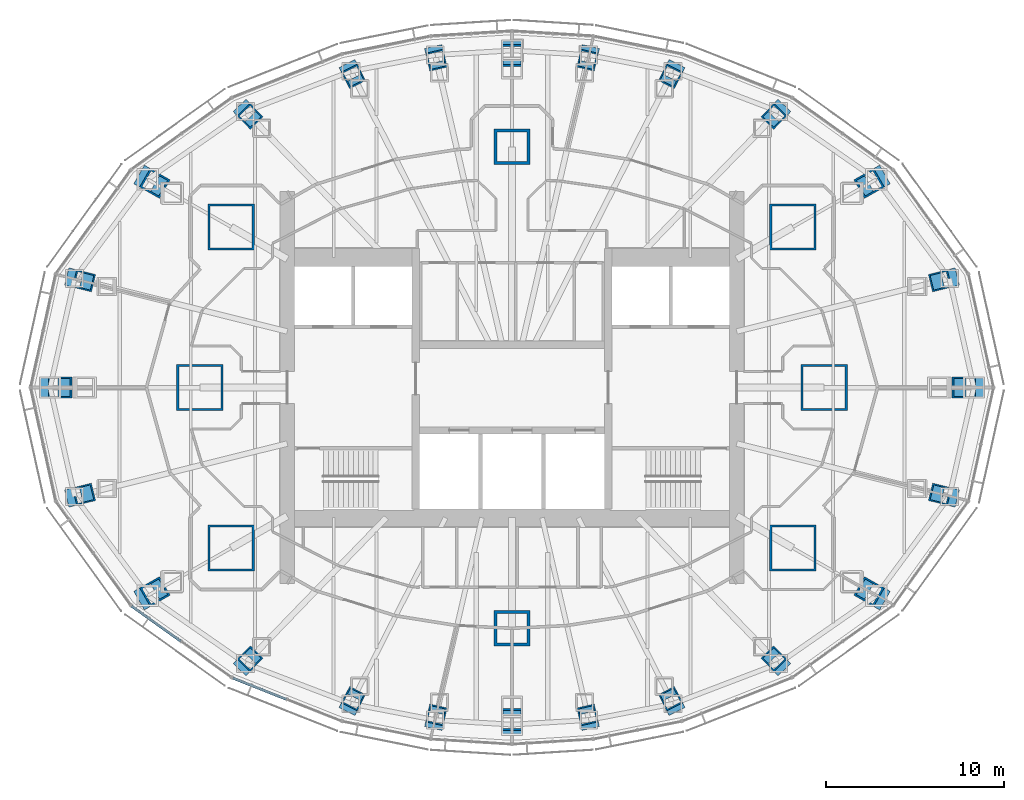
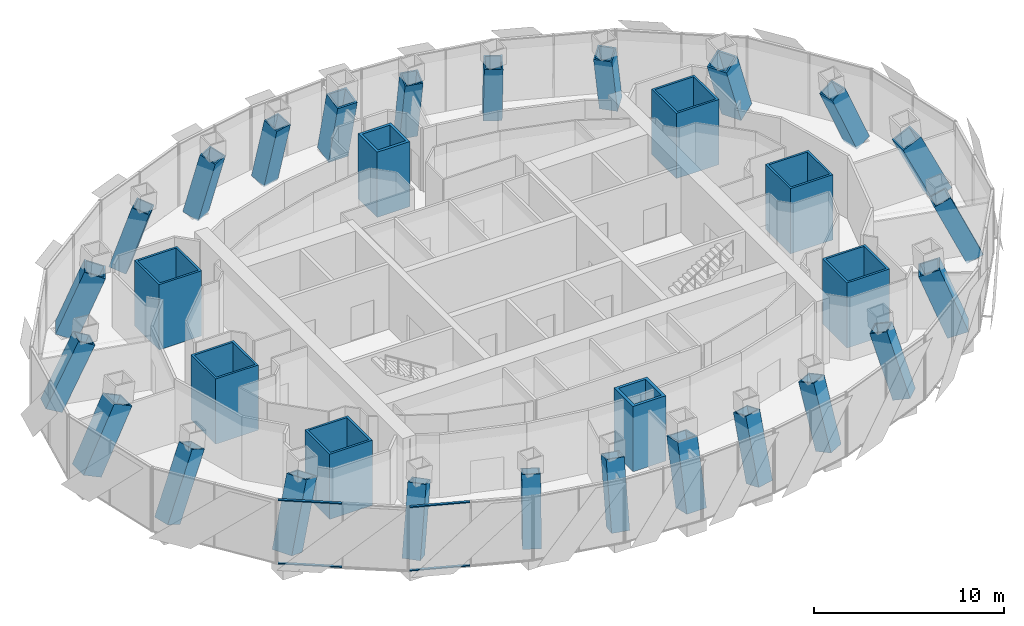
# One storey, part 1 of 18: 32 columns, 4 members, 2 elements without a shape of their own.
"""IFC4 building model written with IfcOpenShell, lengths in metres."""

from ifc_helpers import new_model, si_unit, direction, frame, origin, origin_2d, place, context, subcontext, project, spatial, rectangle, hollow_rectangle, extrude, material, material_profile, profile_set, type_object, element, aggregate, save


model = new_model("IFC4")

# Units and contexts
model_context = context("Model", 3, precision=1e-05, world=origin(), true_north=direction((0.0, 1.0)))
body_context = subcontext(model_context, "Body", "Model", "MODEL_VIEW")
ifc_project = project(units=[si_unit("LENGTHUNIT", "METRE"), si_unit("AREAUNIT", "SQUARE_METRE"), si_unit("VOLUMEUNIT", "CUBIC_METRE"), si_unit("PLANEANGLEUNIT", "RADIAN"), si_unit("MASSUNIT", "GRAM", prefix="KILO")], contexts=[model_context])

# Site, building, storey
site_placement = place(None, origin())
site = spatial("IfcSite", under=ifc_project, at=site_placement, CompositionType="ELEMENT")
building_placement = place(site_placement, origin())
building = spatial("IfcBuilding", under=site, at=building_placement, Name="Lantaw Convention Tower", CompositionType="ELEMENT")
storey_placement = place(building_placement, frame((0.0, 0.0, 266.199951171875)))
storey = spatial("IfcBuildingStorey", under=building, at=storey_placement, Name="L62", CompositionType="ELEMENT", Elevation=266.199951171875)

# Columns
ifc_material_1 = material(Name="Steel EN 10025-3 S460N", Category="steel")
ifc_material_profile_1 = material_profile(ifc_material_1, hollow_rectangle(XDim=2.0, YDim=2.0, WallThickness=0.169921875, at=origin_2d()), Name="BOX2000X170")
ifc_material_2 = material(Name="Concrete C60/75", Category="concrete")
ifc_material_profile_2 = material_profile(ifc_material_2, rectangle(XDim=1.659912109375, YDim=1.659912109375, at=origin_2d()), Name="Concrete fill of BOX2000X170")
ifc_profile_set_1 = profile_set([ifc_material_profile_1, ifc_material_profile_2], Name="Steel EN 10025-3 S460N")
column_type_1 = type_object("IfcColumnType", Name="Column MC BOX2000X170", PredefinedType="COLUMN", material=ifc_profile_set_1)
for number, where, z_axis, x_axis, name in (
    (1, (0.0, 13.5, 0.0), (0.0, 0.0, 1.0), (1.0, 0.0, 0.0), "Mega column M3"),
    (2, (0.0, -13.5, 0.0), (0.0, 0.0, 1.0), (1.0, 0.0, 0.0), "Mega column M7"),
):
    element("IfcColumn", number, at=place(storey_placement, frame(where, z_axis=z_axis, x_axis=x_axis)), inside=storey, type_object=column_type_1, Name=name, PredefinedType="COLUMN", context=body_context, shape_type="SweptSolid", body=[
        extrude(hollow_rectangle(XDim=2.0, YDim=2.0, WallThickness=0.169921875, at=origin_2d()), origin(), (0.0, 0.0, 1.0), 4.199951171875),
    ])
ifc_material_profile_3 = material_profile(ifc_material_1, hollow_rectangle(XDim=2.60009765625, YDim=2.60009765625, WallThickness=0.1298828125, at=origin_2d()), Name="BOX2600X130")
ifc_material_profile_4 = material_profile(ifc_material_2, rectangle(XDim=2.340087890625, YDim=2.340087890625, at=origin_2d()), Name="Concrete fill of BOX2600X130")
ifc_profile_set_2 = profile_set([ifc_material_profile_3, ifc_material_profile_4], Name="Steel EN 10025-3 S460N")
column_type_2 = type_object("IfcColumnType", Name="Column MC BOX2600X130", PredefinedType="COLUMN", material=ifc_profile_set_2)
for number, where, z_axis, x_axis, name in (
    (3, (17.5, 0.0, 0.0), (0.0, 0.0, 1.0), (1.0, 0.0, 0.0), "Mega column M1"),
    (4, (15.75, 9.0, 0.0), (0.0, 0.0, 1.0), (1.0, 0.0, 0.0), "Mega column M2"),
    (5, (-15.75, 9.0, 0.0), (0.0, 0.0, 1.0), (1.0, 0.0, 0.0), "Mega column M4"),
    (6, (-17.5, 0.0, 0.0), (0.0, 0.0, 1.0), (1.0, 0.0, 0.0), "Mega column M5"),
    (7, (-15.75, -9.0, 0.0), (0.0, 0.0, 1.0), (1.0, 0.0, 0.0), "Mega column M6"),
    (8, (15.75, -9.0, 0.0), (0.0, 0.0, 1.0), (1.0, 0.0, 0.0), "Mega column M8"),
):
    element("IfcColumn", number, at=place(storey_placement, frame(where, z_axis=z_axis, x_axis=x_axis)), inside=storey, type_object=column_type_2, Name=name, PredefinedType="COLUMN", context=body_context, shape_type="SweptSolid", body=[
        extrude(hollow_rectangle(XDim=2.60009765625, YDim=2.60009765625, WallThickness=0.1298828125, at=origin_2d()), origin(), (0.0, 0.0, 1.0), 4.199951171875),
    ])
ifc_material_3 = material(Name="Steel ASTM A572 Grade 50", Category="steel")
ifc_material_profile_5 = material_profile(ifc_material_3, hollow_rectangle(XDim=1.0, YDim=1.0, WallThickness=0.080078125, at=origin_2d()), Name="BOX1000X80")
ifc_material_profile_6 = material_profile(ifc_material_2, rectangle(XDim=0.840087890625, YDim=0.840087890625, at=origin_2d()), Name="Concrete fill of BOX1000X80")
ifc_profile_set_3 = profile_set([ifc_material_profile_5, ifc_material_profile_6], Name="Steel ASTM A572 Grade 50")
column_type_3 = type_object("IfcColumnType", Name="Column PC BOX1000X80", PredefinedType="COLUMN", material=ifc_profile_set_3)
column_1_placement = place(storey_placement, frame((24.52197265625, 6.114013671875, 0.0), z_axis=(-0.398362767155, -0.099325785847, 0.911834137336), x_axis=(0.241928299692, -0.970294129534, 0.0)))
element("IfcColumn", 9, at=column_1_placement, inside=storey, type_object=column_type_3, Name="Perimeter column P2 (raked)", PredefinedType="COLUMN", context=body_context, shape_type="SweptSolid", body=[
    extrude(hollow_rectangle(XDim=1.0, YDim=1.0, WallThickness=0.080078125, at=origin_2d()), origin(), (0.0, 0.0, 1.0), 4.377685546875),
])
column_2_placement = place(storey_placement, frame((14.9443359375, 15.475341796875, 0.0), z_axis=(-0.208217719647, -0.215641734527, 0.954014687285), x_axis=(0.719381611647, -0.694615070974, 0.0)))
element("IfcColumn", 10, at=column_2_placement, inside=storey, type_object=column_type_3, Name="Perimeter column P4 (raked)", PredefinedType="COLUMN", context=body_context, shape_type="SweptSolid", body=[
    extrude(hollow_rectangle(XDim=1.0, YDim=1.0, WallThickness=0.080078125, at=origin_2d()), origin(), (0.0, 0.0, 1.0), 4.2421875),
])
column_3_placement = place(storey_placement, frame((9.03466796875, 17.7314453125, 0.0), z_axis=(-0.116507553231, -0.228665645788, 0.966508154377), x_axis=(0.891011903247, -0.453979942588, 0.0)))
element("IfcColumn", 11, at=column_3_placement, inside=storey, type_object=column_type_3, Name="Perimeter column P5 (raked)", PredefinedType="COLUMN", context=body_context, shape_type="SweptSolid", body=[
    extrude(hollow_rectangle(XDim=1.0, YDim=1.0, WallThickness=0.080078125, at=origin_2d()), origin(), (0.0, 0.0, 1.0), 4.2099609375),
])
for number, where, z_axis, x_axis, name in (
    (12, (4.303955078125, 18.64208984375, 0.0), (-0.053383974644, -0.231214251834, 0.971437142074), (0.974366408229, -0.224966892041, 0.0), "Perimeter column P6 (raked)"),
    (13, (-4.303955078125, 18.64208984375, 0.0), (0.053383974644, -0.231214251834, 0.971437142074), (0.974366408229, 0.224966892041, 0.0), "Perimeter column P8 (raked)"),
):
    element("IfcColumn", number, at=place(storey_placement, frame(where, z_axis=z_axis, x_axis=x_axis)), inside=storey, type_object=column_type_3, Name=name, PredefinedType="COLUMN", context=body_context, shape_type="SweptSolid", body=[
        extrude(hollow_rectangle(XDim=1.0, YDim=1.0, WallThickness=0.080078125, at=origin_2d()), origin(), (0.0, 0.0, 1.0), 4.1982421875),
    ])
column_4_placement = place(storey_placement, frame((-9.03466796875, 17.7314453125, 0.0), z_axis=(0.116507553231, -0.228665645788, 0.966508154377), x_axis=(0.891011903247, 0.453979942588, 0.0)))
element("IfcColumn", 14, at=column_4_placement, inside=storey, type_object=column_type_3, Name="Perimeter column P9 (raked)", PredefinedType="COLUMN", context=body_context, shape_type="SweptSolid", body=[
    extrude(hollow_rectangle(XDim=1.0, YDim=1.0, WallThickness=0.080078125, at=origin_2d()), origin(), (0.0, 0.0, 1.0), 4.2099609375),
])
column_5_placement = place(storey_placement, frame((-14.9443359375, 15.475341796875, 0.0), z_axis=(0.208217719647, -0.215641734527, 0.954014687285), x_axis=(0.719381611647, 0.694615070974, 0.0)))
element("IfcColumn", 15, at=column_5_placement, inside=storey, type_object=column_type_3, Name="Perimeter column P10 (raked)", PredefinedType="COLUMN", context=body_context, shape_type="SweptSolid", body=[
    extrude(hollow_rectangle(XDim=1.0, YDim=1.0, WallThickness=0.080078125, at=origin_2d()), origin(), (0.0, 0.0, 1.0), 4.2421875),
])
for number, where, z_axis, x_axis, name in (
    (16, (-24.52197265625, 6.114013671875, 0.0), (0.398362767155, -0.099325785847, 0.911834137336), (0.241928299692, 0.970294129534, 0.0), "Perimeter column P12 (raked)"),
    (17, (-24.52197265625, -6.114013671875, 0.0), (0.398362767155, 0.099325785847, 0.911834137336), (-0.241928299692, 0.970294129534, 0.0), "Perimeter column P14 (raked)"),
):
    element("IfcColumn", number, at=place(storey_placement, frame(where, z_axis=z_axis, x_axis=x_axis)), inside=storey, type_object=column_type_3, Name=name, PredefinedType="COLUMN", context=body_context, shape_type="SweptSolid", body=[
        extrude(hollow_rectangle(XDim=1.0, YDim=1.0, WallThickness=0.080078125, at=origin_2d()), origin(), (0.0, 0.0, 1.0), 4.377685546875),
    ])
column_6_placement = place(storey_placement, frame((-14.9443359375, -15.475341796875, 0.0), z_axis=(0.208217719647, 0.215641734527, 0.954014687285), x_axis=(-0.719381611647, 0.694615070974, 0.0)))
element("IfcColumn", 18, at=column_6_placement, inside=storey, type_object=column_type_3, Name="Perimeter column P16 (raked)", PredefinedType="COLUMN", context=body_context, shape_type="SweptSolid", body=[
    extrude(hollow_rectangle(XDim=1.0, YDim=1.0, WallThickness=0.080078125, at=origin_2d()), origin(), (0.0, 0.0, 1.0), 4.2421875),
])
column_7_placement = place(storey_placement, frame((-9.03466796875, -17.7314453125, 0.0), z_axis=(0.116507553231, 0.228665645788, 0.966508154377), x_axis=(-0.891011903247, 0.453979942588, 0.0)))
element("IfcColumn", 19, at=column_7_placement, inside=storey, type_object=column_type_3, Name="Perimeter column P17 (raked)", PredefinedType="COLUMN", context=body_context, shape_type="SweptSolid", body=[
    extrude(hollow_rectangle(XDim=1.0, YDim=1.0, WallThickness=0.080078125, at=origin_2d()), origin(), (0.0, 0.0, 1.0), 4.2099609375),
])
for number, where, z_axis, x_axis, name in (
    (20, (-4.303955078125, -18.64208984375, 0.0), (0.053383974644, 0.231214251834, 0.971437142074), (-0.974366408229, 0.224966892041, 0.0), "Perimeter column P18 (raked)"),
    (21, (4.303955078125, -18.64208984375, 0.0), (-0.053383974644, 0.231214251834, 0.971437142074), (-0.974366408229, -0.224966892041, 0.0), "Perimeter column P20 (raked)"),
):
    element("IfcColumn", number, at=place(storey_placement, frame(where, z_axis=z_axis, x_axis=x_axis)), inside=storey, type_object=column_type_3, Name=name, PredefinedType="COLUMN", context=body_context, shape_type="SweptSolid", body=[
        extrude(hollow_rectangle(XDim=1.0, YDim=1.0, WallThickness=0.080078125, at=origin_2d()), origin(), (0.0, 0.0, 1.0), 4.1982421875),
    ])
column_8_placement = place(storey_placement, frame((9.03466796875, -17.7314453125, 0.0), z_axis=(-0.116507553231, 0.228665645788, 0.966508154377), x_axis=(-0.891011903247, -0.453979942588, 0.0)))
element("IfcColumn", 22, at=column_8_placement, inside=storey, type_object=column_type_3, Name="Perimeter column P21 (raked)", PredefinedType="COLUMN", context=body_context, shape_type="SweptSolid", body=[
    extrude(hollow_rectangle(XDim=1.0, YDim=1.0, WallThickness=0.080078125, at=origin_2d()), origin(), (0.0, 0.0, 1.0), 4.2099609375),
])
column_9_placement = place(storey_placement, frame((14.9443359375, -15.475341796875, 0.0), z_axis=(-0.208217719647, 0.215641734527, 0.954014687285), x_axis=(-0.719381611647, -0.694615070974, 0.0)))
element("IfcColumn", 23, at=column_9_placement, inside=storey, type_object=column_type_3, Name="Perimeter column P22 (raked)", PredefinedType="COLUMN", context=body_context, shape_type="SweptSolid", body=[
    extrude(hollow_rectangle(XDim=1.0, YDim=1.0, WallThickness=0.080078125, at=origin_2d()), origin(), (0.0, 0.0, 1.0), 4.2421875),
])
column_10_placement = place(storey_placement, frame((24.52197265625, -6.114013671875, 0.0), z_axis=(-0.398362767155, 0.099325785847, 0.911834137336), x_axis=(-0.241928299692, -0.970294129534, 0.0)))
element("IfcColumn", 24, at=column_10_placement, inside=storey, type_object=column_type_3, Name="Perimeter column P24 (raked)", PredefinedType="COLUMN", context=body_context, shape_type="SweptSolid", body=[
    extrude(hollow_rectangle(XDim=1.0, YDim=1.0, WallThickness=0.080078125, at=origin_2d()), origin(), (0.0, 0.0, 1.0), 4.377685546875),
])
ifc_material_profile_7 = material_profile(ifc_material_1, hollow_rectangle(XDim=1.199951171875, YDim=1.199951171875, WallThickness=0.10009765625, at=origin_2d()), Name="BOX1200X100")
ifc_material_profile_8 = material_profile(ifc_material_2, rectangle(XDim=1.0, YDim=1.0, at=origin_2d()), Name="Concrete fill of BOX1200X100")
ifc_profile_set_4 = profile_set([ifc_material_profile_7, ifc_material_profile_8], Name="Steel EN 10025-3 S460N")
column_type_4 = type_object("IfcColumnType", Name="Column PC BOX1200X100", PredefinedType="COLUMN", material=ifc_profile_set_4)
column_11_placement = place(storey_placement, frame((25.89990234375, 0.0, 0.0), z_axis=(-0.429918375723, 0.0, 0.902867758986), x_axis=(0.0, -1.0, 0.0)))
element("IfcColumn", 25, at=column_11_placement, inside=storey, type_object=column_type_4, Name="Perimeter column P1 (raked)", PredefinedType="COLUMN", context=body_context, shape_type="SweptSolid", body=[
    extrude(hollow_rectangle(XDim=1.199951171875, YDim=1.199951171875, WallThickness=0.10009765625, at=origin_2d()), origin(), (0.0, 0.0, 1.0), 4.363037109375),
])
column_12_placement = place(storey_placement, frame((20.423095703125, 11.67041015625, 0.0), z_axis=(-0.310472199469, -0.177420864126, 0.933878391617), x_axis=(0.496156180016, -0.868233289521, 0.0)))
element("IfcColumn", 26, at=column_12_placement, inside=storey, type_object=column_type_4, Name="Perimeter column P3 (raked)", PredefinedType="COLUMN", context=body_context, shape_type="SweptSolid", body=[
    extrude(hollow_rectangle(XDim=1.199951171875, YDim=1.199951171875, WallThickness=0.10009765625, at=origin_2d()), origin(), (0.0, 0.0, 1.0), 4.264404296875),
])
column_13_placement = place(storey_placement, frame((0.0, 18.89990234375, 0.0), z_axis=(0.0, -0.23158624064, 0.972814377539), x_axis=(1.0, 0.0, 0.0)))
element("IfcColumn", 27, at=column_13_placement, inside=storey, type_object=column_type_4, Name="Perimeter column P7 (raked)", PredefinedType="COLUMN", context=body_context, shape_type="SweptSolid", body=[
    extrude(hollow_rectangle(XDim=1.199951171875, YDim=1.199951171875, WallThickness=0.10009765625, at=origin_2d()), origin(), (0.0, 0.0, 1.0), 4.171630859375),
])
column_14_placement = place(storey_placement, frame((-20.423095703125, 11.67041015625, 0.0), z_axis=(0.310472199469, -0.177420864126, 0.933878391617), x_axis=(0.496156180016, 0.868233289521, 0.0)))
element("IfcColumn", 28, at=column_14_placement, inside=storey, type_object=column_type_4, Name="Perimeter column P11 (raked)", PredefinedType="COLUMN", context=body_context, shape_type="SweptSolid", body=[
    extrude(hollow_rectangle(XDim=1.199951171875, YDim=1.199951171875, WallThickness=0.10009765625, at=origin_2d()), origin(), (0.0, 0.0, 1.0), 4.264404296875),
])
column_15_placement = place(storey_placement, frame((-25.89990234375, 0.0, 0.0), z_axis=(0.429918375723, 0.0, 0.902867758986), x_axis=(0.0, 1.0, 0.0)))
element("IfcColumn", 29, at=column_15_placement, inside=storey, type_object=column_type_4, Name="Perimeter column P13 (raked)", PredefinedType="COLUMN", context=body_context, shape_type="SweptSolid", body=[
    extrude(hollow_rectangle(XDim=1.199951171875, YDim=1.199951171875, WallThickness=0.10009765625, at=origin_2d()), origin(), (0.0, 0.0, 1.0), 4.363037109375),
])
column_16_placement = place(storey_placement, frame((-20.423095703125, -11.67041015625, 0.0), z_axis=(0.310472199469, 0.177420864126, 0.933878391617), x_axis=(-0.496156180016, 0.868233289521, 0.0)))
element("IfcColumn", 30, at=column_16_placement, inside=storey, type_object=column_type_4, Name="Perimeter column P15 (raked)", PredefinedType="COLUMN", context=body_context, shape_type="SweptSolid", body=[
    extrude(hollow_rectangle(XDim=1.199951171875, YDim=1.199951171875, WallThickness=0.10009765625, at=origin_2d()), origin(), (0.0, 0.0, 1.0), 4.264404296875),
])
column_17_placement = place(storey_placement, frame((0.0, -18.89990234375, 0.0), z_axis=(0.0, 0.23158624064, 0.972814377539), x_axis=(-1.0, 0.0, 0.0)))
element("IfcColumn", 31, at=column_17_placement, inside=storey, type_object=column_type_4, Name="Perimeter column P19 (raked)", PredefinedType="COLUMN", context=body_context, shape_type="SweptSolid", body=[
    extrude(hollow_rectangle(XDim=1.199951171875, YDim=1.199951171875, WallThickness=0.10009765625, at=origin_2d()), origin(), (0.0, 0.0, 1.0), 4.171630859375),
])
column_18_placement = place(storey_placement, frame((20.423095703125, -11.67041015625, 0.0), z_axis=(-0.310472199469, 0.177420864126, 0.933878391617), x_axis=(-0.496156180016, -0.868233289521, 0.0)))
element("IfcColumn", 32, at=column_18_placement, inside=storey, type_object=column_type_4, Name="Perimeter column P23 (raked)", PredefinedType="COLUMN", context=body_context, shape_type="SweptSolid", body=[
    extrude(hollow_rectangle(XDim=1.199951171875, YDim=1.199951171875, WallThickness=0.10009765625, at=origin_2d()), origin(), (0.0, 0.0, 1.0), 4.264404296875),
])

# Curtain wall, members
ifc_material_4 = material(Name="Aluminium framed curtain wall", Category="aluminium")
curtain_wall_type = type_object("IfcCurtainWallType", Name="Office curtain wall high rise, pale aluminium", PredefinedType="USERDEFINED", material=ifc_material_4)
curtain_wall_1_placement = place(storey_placement, origin())
curtain_wall_1 = element("IfcCurtainWall", 33, at=curtain_wall_1_placement, inside=storey, type_object=curtain_wall_type, Name="Office curtain wall high rise, pale aluminium L62", ObjectType="UNITISED CURTAIN WALL", PredefinedType="USERDEFINED")
ifc_material_5 = material(Name="Aluminium 6063-T6", Category="aluminium")
ifc_material_profile_9 = material_profile(ifc_material_5, rectangle(XDim=0.14990234375, YDim=0.06494140625, at=origin_2d()), Name="CW-O2 transom 65x150")
ifc_profile_set_5 = profile_set([ifc_material_profile_9], Name="Aluminium 6063-T6")
member_type = type_object("IfcMemberType", Name="CW-O2 transom 65x150", PredefinedType="USERDEFINED", material=ifc_profile_set_5)
member_1_placement = place(storey_placement, frame((-21.3251953125, -12.25390625, -0.117431640625), z_axis=(0.813679882592, -0.581313210468, 0.0), x_axis=(0.581313210468, 0.813679882592, 0.0)))
member_1 = element("IfcMember", 34, at=member_1_placement, type_object=member_type, Name="CW-O2 transom 1.1", ObjectType="TRANSOM", PredefinedType="USERDEFINED", context=body_context, shape_type="SweptSolid", body=[
    extrude(rectangle(XDim=0.14990234375, YDim=0.06494140625, at=origin_2d()), origin(), (0.0, 0.0, 1.0), 3.38623046875),
])
member_2_placement = place(storey_placement, frame((-21.3251953125, -12.25390625, 3.967529296875), z_axis=(0.813679882592, -0.581313210468, 0.0), x_axis=(0.581313210468, 0.813679882592, 0.0)))
member_2 = element("IfcMember", 35, at=member_2_placement, type_object=member_type, Name="CW-O2 transom 1.2", ObjectType="TRANSOM", PredefinedType="USERDEFINED", context=body_context, shape_type="SweptSolid", body=[
    extrude(rectangle(XDim=0.14990234375, YDim=0.06494140625, at=origin_2d()), origin(), (0.0, 0.0, 1.0), 3.38623046875),
])
aggregate(curtain_wall_1, [member_1, member_2])

curtain_wall_2_placement = place(storey_placement, origin())
curtain_wall_2 = element("IfcCurtainWall", 36, at=curtain_wall_2_placement, inside=storey, type_object=curtain_wall_type, Name="Office curtain wall high rise, pale aluminium L62", ObjectType="UNITISED CURTAIN WALL", PredefinedType="USERDEFINED")
member_3_placement = place(storey_placement, frame((-15.648193359375, -16.29052734375, -0.117431640625), z_axis=(0.929740712354, -0.368214893495, 0.0), x_axis=(0.368214893495, 0.929740712354, 0.0)))
member_3 = element("IfcMember", 37, at=member_3_placement, type_object=member_type, Name="CW-O2 transom 1.1", ObjectType="TRANSOM", PredefinedType="USERDEFINED", context=body_context, shape_type="SweptSolid", body=[
    extrude(rectangle(XDim=0.14990234375, YDim=0.06494140625, at=origin_2d()), origin(), (0.0, 0.0, 1.0), 3.22314453125),
])
member_4_placement = place(storey_placement, frame((-15.648193359375, -16.29052734375, 3.967529296875), z_axis=(0.929740712354, -0.368214893495, 0.0), x_axis=(0.368214893495, 0.929740712354, 0.0)))
member_4 = element("IfcMember", 38, at=member_4_placement, type_object=member_type, Name="CW-O2 transom 1.2", ObjectType="TRANSOM", PredefinedType="USERDEFINED", context=body_context, shape_type="SweptSolid", body=[
    extrude(rectangle(XDim=0.14990234375, YDim=0.06494140625, at=origin_2d()), origin(), (0.0, 0.0, 1.0), 3.22314453125),
])
aggregate(curtain_wall_2, [member_3, member_4])

save(model, "model.ifc")
